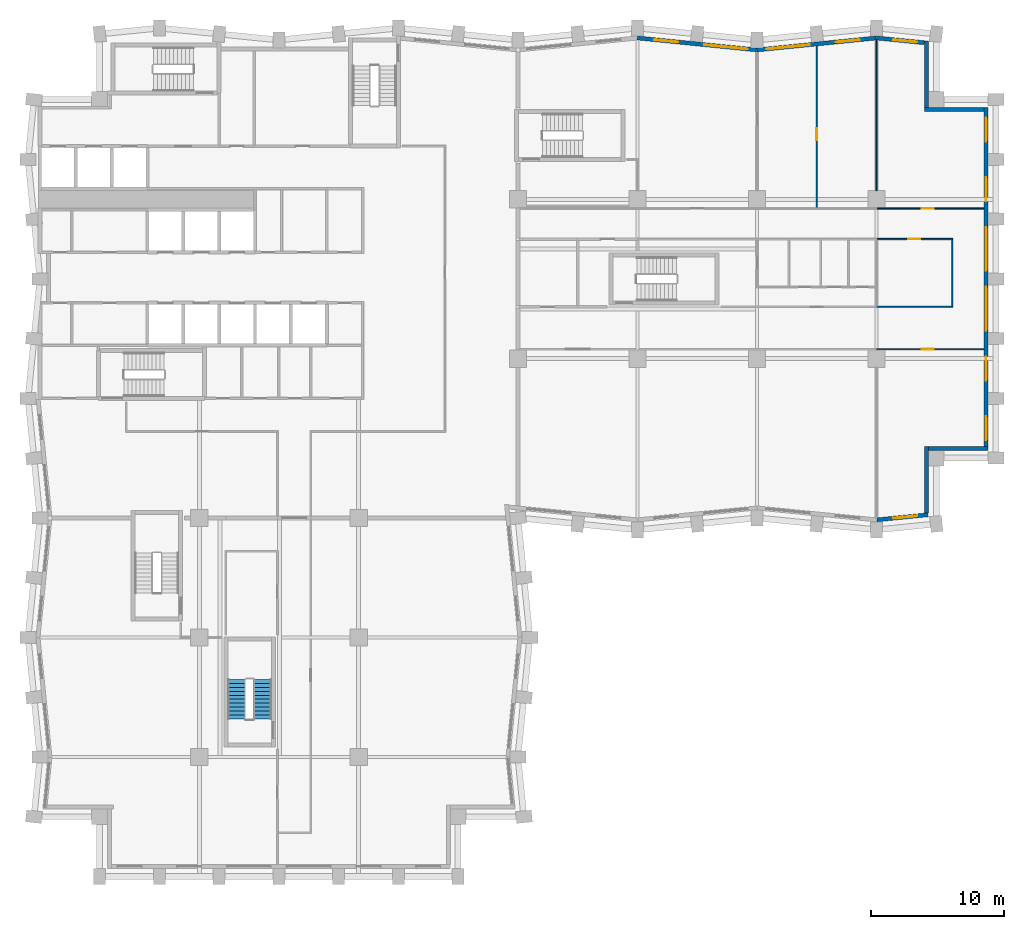
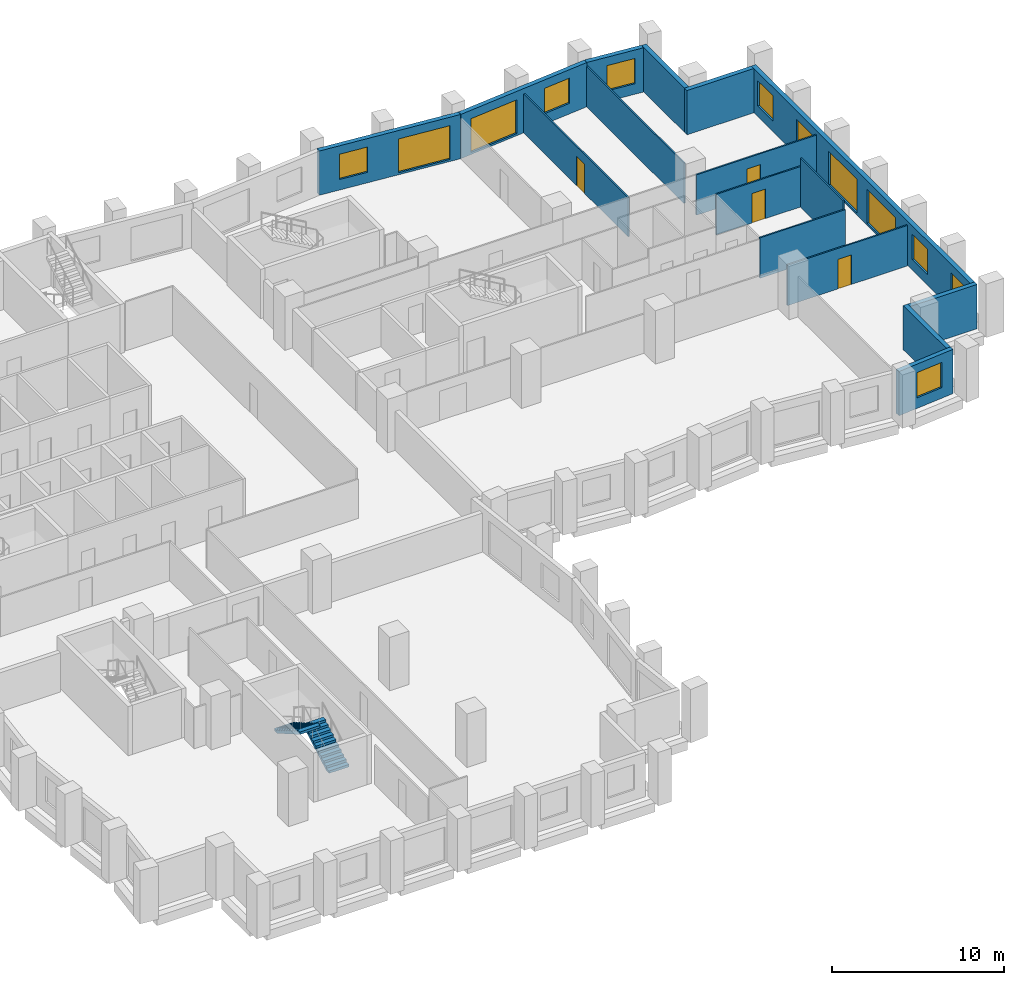
# One storey, part 8 of 11: 16 walls, 12 windows, 4 doors, 2 stair flights, 16 openings, 1 element without a shape of its own.
"""IFC4 building model written with IfcOpenShell, lengths in metres."""

import ifcopenshell
import ifcopenshell.guid

model = None  # the IFC model being written
_history = None  # IfcOwnerHistory: only IFC2X3 demands one
_inside = {}  # id of a spatial element -> (the spatial element, [elements in it])
_under = {}  # id of a project, library or spatial element -> (it, [spatial elements below it])
_declared = {}  # id of a project -> (the project, [libraries it declares])
_typed = {}  # id of a type object -> (the type object, [elements of that type])
_made_of = {}  # id of a material, layer set ... -> (it, [elements and type objects made of it])


def new_model(schema):
    """Start an empty IFC model of exactly this schema.

    Asked for "IFC4X3", IfcOpenShell would pick the latest addendum, in which some entities
    have other attributes; the version numbers below select the first issue.
    IFC2X3 requires an IfcOwnerHistory on every rooted entity: one is made here for all.
    """
    global model, _history
    if schema == "IFC4X3":
        model = ifcopenshell.file(schema_version=(4, 3, 0, 0))
    else:
        model = ifcopenshell.file(schema=schema)
    _inside.clear()
    _under.clear()
    _declared.clear()
    _typed.clear()
    _made_of.clear()
    _history = None
    if model.schema == "IFC2X3":
        org = make("IfcOrganization", Name="unknown")
        user = make(
            "IfcPersonAndOrganization",
            ThePerson=make("IfcPerson", FamilyName="unknown"),
            TheOrganization=org,
        )
        app = make(
            "IfcApplication",
            ApplicationDeveloper=org,
            Version="unknown",
            ApplicationFullName="unknown",
            ApplicationIdentifier="unknown",
        )
        _history = make(
            "IfcOwnerHistory",
            OwningUser=user,
            OwningApplication=app,
            ChangeAction="ADDED",
            CreationDate=0,
        )
    return model


def make(cls, **values):
    """One entity of the class cls with the attributes given. An attribute that is None is left unset."""
    return model.create_entity(
        cls, **{name: value for name, value in values.items() if value is not None}
    )


def rooted(cls, **values):
    """An entity with a GlobalId (a new one), such as an element, a storey or a relation."""
    return make(cls, GlobalId=ifcopenshell.guid.new(), OwnerHistory=_history, **values)


def si_unit(unit_type, name, prefix=None):
    """IfcSIUnit, for example si_unit("LENGTHUNIT", "METRE", prefix="MILLI")."""
    return make("IfcSIUnit", UnitType=unit_type, Prefix=prefix, Name=name)


def assignment(units):
    """IfcUnitAssignment: the units of a project."""
    return None if units is None else make("IfcUnitAssignment", Units=units)


def point(xyz):
    """IfcCartesianPoint."""
    return None if xyz is None else make("IfcCartesianPoint", Coordinates=xyz)


def direction(xyz):
    """IfcDirection."""
    return None if xyz is None else make("IfcDirection", DirectionRatios=xyz)


def frame(location, z_axis=None, x_axis=None):
    """IfcAxis2Placement3D, a coordinate frame: its origin and axes. An axis left out is left unset."""
    return make(
        "IfcAxis2Placement3D",
        Location=point(location),
        Axis=direction(z_axis),
        RefDirection=direction(x_axis),
    )


def frame_2d(location, x_axis=None):
    """IfcAxis2Placement2D, a coordinate frame in the plane: its origin and x axis."""
    return make(
        "IfcAxis2Placement2D", Location=point(location), RefDirection=direction(x_axis)
    )


def origin():
    """The frame at (0, 0, 0) with its axes left unset."""
    return frame((0.0, 0.0, 0.0))


def place(relative_to, where):
    """IfcLocalPlacement: puts the frame where relative to a parent placement (None: the world)."""
    return make(
        "IfcLocalPlacement", PlacementRelTo=relative_to, RelativePlacement=where
    )


def context(
    kind, dimensions, precision=None, world=None, true_north=None, identifier=None
):
    """IfcGeometricRepresentationContext, for example the 3D "Model" context."""
    return make(
        "IfcGeometricRepresentationContext",
        ContextIdentifier=identifier,
        ContextType=kind,
        CoordinateSpaceDimension=dimensions,
        Precision=precision,
        WorldCoordinateSystem=world,
        TrueNorth=true_north,
    )


def subcontext(parent, identifier, kind, view, scale=None):
    """IfcGeometricRepresentationSubContext, for example "Body" below "Model"."""
    return make(
        "IfcGeometricRepresentationSubContext",
        ContextIdentifier=identifier,
        ContextType=kind,
        ParentContext=parent,
        TargetScale=scale,
        TargetView=view,
    )


def project(units=None, contexts=None):
    """IfcProject with its units and contexts."""
    return rooted(
        "IfcProject",
        Name="project",
        RepresentationContexts=contexts,
        UnitsInContext=assignment(units),
    )


def spatial(cls, under=None, at=None, **own):
    """A site, building, storey or space (cls), placed at a placement, below another one or the project."""
    s = rooted(cls, ObjectPlacement=at, **own)
    if under is not None:
        _under.setdefault(under.id(), (under, []))[1].append(s)
    return s


def polyline(points):
    """IfcPolyline through the points."""
    return make("IfcPolyline", Points=[point(p) for p in points])


def profile(cls, at=None, kind="AREA", **sizes):
    """A parametric profile (cls). Its sizes go by their IFC names, for example OverallWidth=200.0."""
    return make(cls, ProfileType=kind, Position=at, **sizes)


def rectangle(**sizes):
    """IfcRectangleProfileDef."""
    return profile("IfcRectangleProfileDef", **sizes)


def outline(outer, holes=None, kind="AREA"):
    """IfcArbitraryClosedProfileDef: a profile drawn as a closed curve; with holes, ...WithVoids."""
    if holes is None:
        return make("IfcArbitraryClosedProfileDef", ProfileType=kind, OuterCurve=outer)
    return make(
        "IfcArbitraryProfileDefWithVoids",
        ProfileType=kind,
        OuterCurve=outer,
        InnerCurves=holes,
    )


def extrude(swept, where, along, depth):
    """IfcExtrudedAreaSolid: the profile swept, set in the frame where, extruded along a direction by depth."""
    return make(
        "IfcExtrudedAreaSolid",
        SweptArea=swept,
        Position=where,
        ExtrudedDirection=direction(along),
        Depth=depth,
    )


def shape(context_of_items, identifier, shape_type, items):
    """IfcShapeRepresentation: the items that make up one representation, for example the "Body"."""
    return make(
        "IfcShapeRepresentation",
        ContextOfItems=context_of_items,
        RepresentationIdentifier=identifier,
        RepresentationType=shape_type,
        Items=items,
    )


def material(Name=None, Category=None):
    """IfcMaterial."""
    return make("IfcMaterial", Name=Name, Category=Category)


def layer(
    of_material, thickness, ventilated=None, Name=None, Category=None, Priority=None
):
    """IfcMaterialLayer: one layer of a wall or slab, of a material (None: an air gap)."""
    return make(
        "IfcMaterialLayer",
        Material=of_material,
        LayerThickness=thickness,
        IsVentilated=ventilated,
        Name=Name,
        Category=Category,
        Priority=Priority,
    )


def layer_set(layers, Name=None):
    """IfcMaterialLayerSet."""
    return make("IfcMaterialLayerSet", MaterialLayers=layers, LayerSetName=Name)


def made_of(thing, what):
    """Note that an element or type object is made of a material, layer set ...; save() writes the relation."""
    if what is not None:
        _made_of.setdefault(what.id(), (what, []))[1].append(thing)
    return thing


def type_object(cls, material=None, **own):
    """A type object (cls), such as IfcWallType, which elements share."""
    return made_of(rooted(cls, **own), material)


def element(
    cls,
    number,
    at=None,
    inside=None,
    cuts=None,
    type_object=None,
    material=None,
    context=None,
    identifier="Body",
    shape_type=None,
    held_by="IfcProductDefinitionShape",
    body=None,
    shapes=None,
    **own,
):
    """One element of the class cls, such as IfcWall. Its Tag is "e" and its number.

    at: its placement. inside: the storey or other place that contains it. cuts: it is an
    opening in that element (IfcRelVoidsElement). A single representation is given by context,
    identifier, shape_type and body (its items); several are given by shapes. held_by: the class
    of the entity that holds the representations. save() writes the other relations.
    """
    e = rooted(cls, Tag="e%d" % number, ObjectPlacement=at, **own)
    if body is not None:
        shapes = [shape(context, identifier, shape_type, body)]
    if shapes is not None:
        e.Representation = make(held_by, Representations=shapes)
    if inside is not None:
        _inside.setdefault(inside.id(), (inside, []))[1].append(e)
    if cuts is not None:
        rooted(
            "IfcRelVoidsElement", RelatingBuildingElement=cuts, RelatedOpeningElement=e
        )
    if type_object is not None:
        _typed.setdefault(type_object.id(), (type_object, []))[1].append(e)
    return made_of(e, material)


def fill(opening, filler):
    """IfcRelFillsElement: the door or window that sits in an opening."""
    return rooted(
        "IfcRelFillsElement",
        RelatingOpeningElement=opening,
        RelatedBuildingElement=filler,
    )


def aggregate(whole, parts):
    """IfcRelAggregates: a whole, such as a stair, and the parts it consists of."""
    return rooted("IfcRelAggregates", RelatingObject=whole, RelatedObjects=parts)


def save(model, path):
    """Write the relations noted so far, then the file.

    IfcRelAggregates (storeys below a building ...), IfcRelContainedInSpatialStructure (elements
    in a storey), IfcRelDefinesByType, IfcRelAssociatesMaterial and IfcRelDeclares: one each for
    every whole, place, type object, material and project.
    """
    for whole, parts in _under.values():
        aggregate(whole, parts)
    for where, things in _inside.values():
        rooted(
            "IfcRelContainedInSpatialStructure",
            RelatedElements=things,
            RelatingStructure=where,
        )
    for kind, things in _typed.values():
        rooted("IfcRelDefinesByType", RelatedObjects=things, RelatingType=kind)
    for what, things in _made_of.values():
        rooted("IfcRelAssociatesMaterial", RelatedObjects=things, RelatingMaterial=what)
    for by, libraries in _declared.values():
        rooted("IfcRelDeclares", RelatingContext=by, RelatedDefinitions=libraries)
    model.write(path)


model = new_model("IFC4")

# Units and contexts
model_context = context("Model", 3, precision=1e-05, world=origin(), true_north=direction((0.0, 1.0)))
body_context = subcontext(model_context, "Body", "Model", "MODEL_VIEW")
ifc_project = project(units=[si_unit("LENGTHUNIT", "METRE"), si_unit("AREAUNIT", "SQUARE_METRE"), si_unit("VOLUMEUNIT", "CUBIC_METRE"), si_unit("PLANEANGLEUNIT", "RADIAN"), si_unit("MASSUNIT", "GRAM", prefix="KILO")], contexts=[model_context])

# Site, building, storey
site_placement = place(None, origin())
site = spatial("IfcSite", under=ifc_project, at=site_placement, CompositionType="ELEMENT")
building_placement = place(site_placement, origin())
building = spatial("IfcBuilding", under=site, at=building_placement, Name="Brondeck Convention Tower", CompositionType="ELEMENT")
storey_placement = place(building_placement, frame((0.0, 0.0, 118.89990234375)))
storey = spatial("IfcBuildingStorey", under=building, at=storey_placement, Name="L28", CompositionType="ELEMENT", Elevation=118.89990234375)

# Wall, opening, window
ifc_material_1 = material(Name="Precast concrete C50/60 bronze finish", Category="concrete")
ifc_layer_1 = layer(ifc_material_1, 0.070068359375, Name="Bronze precast facing")
ifc_material_2 = material(Name="Mineral wool")
ifc_layer_2 = layer(ifc_material_2, 0.159912109375, Name="Insulation")
ifc_material_3 = material(Name="Concrete C35/45", Category="concrete")
ifc_layer_3 = layer(ifc_material_3, 0.070068359375, Name="Backing")
ifc_layer_set_1 = layer_set([ifc_layer_1, ifc_layer_2, ifc_layer_3], Name="External infill wall, precast concrete C50/60 bronze facing")
wall_type_1 = type_object("IfcWallType", Name="External infill wall, precast concrete C50/60 bronze facing", PredefinedType="SOLIDWALL", material=ifc_layer_set_1)
wall_1_placement = place(storey_placement, frame((66.885009765625, 27.2421875, 0.0), z_axis=(0.0, 0.0, 1.0), x_axis=(-0.995037814081, -0.099497480111, 0.0)))
wall_1 = element("IfcWall", 1, at=wall_1_placement, inside=storey, type_object=wall_type_1, Name="ENV-EW-L28-P0-A-S-06", PredefinedType="SOLIDWALL", context=body_context, shape_type="SweptSolid", body=[
    extrude(rectangle(XDim=3.87451171875, YDim=0.300048828125, at=frame_2d((1.937255859375, 0.0))), origin(), (0.0, 0.0, 1.0), 3.150146484375),
])
opening_1_placement = place(wall_1_placement, frame((0.818359375, 0.0, 0.75)))
opening_1 = element("IfcOpeningElement", 2, at=opening_1_placement, cuts=wall_1, Name="Opening W10", PredefinedType="OPENING", context=body_context, shape_type="SweptSolid", body=[
    extrude(rectangle(XDim=1.800048828125, YDim=1.800048828125, at=frame_2d((0.89990234375, 0.89990234375))), frame((0.0, 0.159912109375, 0.0), z_axis=(0.0, -1.0, 0.0), x_axis=(1.0, 0.0, 0.0)), (0.0, 0.0, 1.0), 0.320068359375),
])
ifc_material_4 = material(Name="Bronze tinted double glazing", Category="glass")
window_type_1 = type_object("IfcWindowType", Name="Punched window, bronze tinted", PartitioningType="SINGLE_PANEL", PredefinedType="WINDOW", material=ifc_material_4)
window_1_placement = place(opening_1_placement, origin())
window_1 = element("IfcWindow", 3, at=window_1_placement, inside=storey, type_object=window_type_1, Name="ENV-WN-L28-P0-A-S-06", OverallHeight=1.800048828125, OverallWidth=1.800048828125, PartitioningType="SINGLE_PANEL", PredefinedType="WINDOW", context=body_context, shape_type="SweptSolid", body=[
    extrude(rectangle(XDim=1.800048828125, YDim=1.800048828125, at=frame_2d((0.89990234375, 0.89990234375))), frame((0.0, 0.030029296875, 0.0), z_axis=(0.0, -1.0, 0.0), x_axis=(1.0, 0.0, 0.0)), (0.0, 0.0, 1.0), 0.06005859375),
])
fill(opening_1, window_1)

# Walls
wall_2_placement = place(storey_placement, frame((66.75, 32.39990234375, 0.0), z_axis=(0.0, 0.0, 1.0), x_axis=(0.0, -1.0, 0.0)))
element("IfcWall", 4, at=wall_2_placement, inside=storey, type_object=wall_type_1, Name="ENV-EW-L28-P0-NC-SEA72-01", PredefinedType="SOLIDWALL", context=body_context, shape_type="SweptSolid", body=[
    extrude(rectangle(XDim=5.019287109375, YDim=0.300048828125, at=frame_2d((2.509765625, 0.0))), origin(), (0.0, 0.0, 1.0), 3.150146484375),
])
wall_3_placement = place(storey_placement, frame((71.39990234375, 32.25, 0.0), z_axis=(0.0, 0.0, 1.0), x_axis=(-1.0, 0.0, 0.0)))
element("IfcWall", 5, at=wall_3_placement, inside=storey, type_object=wall_type_1, Name="ENV-EW-L28-P0-NC-SEA72-02", PredefinedType="SOLIDWALL", context=body_context, shape_type="SweptSolid", body=[
    extrude(rectangle(XDim=4.5, YDim=0.300048828125, at=frame_2d((2.25, 0.0))), origin(), (0.0, 0.0, 1.0), 3.150146484375),
])

# Wall, openings, windows
wall_4_placement = place(storey_placement, frame((71.25, 57.89990234375, 0.0), z_axis=(0.0, 0.0, 1.0), x_axis=(0.0, -1.0, 0.0)))
wall_4 = element("IfcWall", 6, at=wall_4_placement, inside=storey, type_object=wall_type_1, Name="ENV-EW-L28-P0-A-E72-01", PredefinedType="SOLIDWALL", context=body_context, shape_type="SweptSolid", body=[
    extrude(rectangle(XDim=25.501953125, YDim=0.300048828125, at=frame_2d((12.7509765625, 0.0))), origin(), (0.0, 0.0, 1.0), 3.150146484375),
])
opening_2_placement = place(wall_4_placement, frame((0.75, 0.0, 0.75)))
opening_2 = element("IfcOpeningElement", 7, at=opening_2_placement, cuts=wall_4, Name="Opening W10", PredefinedType="OPENING", context=body_context, shape_type="SweptSolid", body=[
    extrude(rectangle(XDim=1.800048828125, YDim=1.800048828125, at=frame_2d((0.89990234375, 0.89990234375))), frame((0.0, 0.159912109375, 0.0), z_axis=(0.0, -1.0, 0.0), x_axis=(1.0, 0.0, 0.0)), (0.0, 0.0, 1.0), 0.320068359375),
])
opening_3_placement = place(wall_4_placement, frame((5.25, 0.0, 0.75)))
opening_3 = element("IfcOpeningElement", 8, at=opening_3_placement, cuts=wall_4, Name="Opening W10", PredefinedType="OPENING", context=body_context, shape_type="SweptSolid", body=[
    extrude(rectangle(XDim=1.800048828125, YDim=1.800048828125, at=frame_2d((0.89990234375, 0.89990234375))), frame((0.0, 0.159912109375, 0.0), z_axis=(0.0, -1.0, 0.0), x_axis=(1.0, 0.0, 0.0)), (0.0, 0.0, 1.0), 0.320068359375),
])
opening_4_placement = place(wall_4_placement, frame((9.0, 0.0, 0.14990234375)))
opening_4 = element("IfcOpeningElement", 9, at=opening_4_placement, cuts=wall_4, Name="Opening W9", PredefinedType="OPENING", context=body_context, shape_type="SweptSolid", body=[
    extrude(rectangle(XDim=3.300048828125, YDim=2.39990234375, at=frame_2d((1.64990234375, 1.199951171875))), frame((0.0, 0.159912109375, 0.0), z_axis=(0.0, -1.0, 0.0), x_axis=(1.0, 0.0, 0.0)), (0.0, 0.0, 1.0), 0.320068359375),
])
opening_5_placement = place(wall_4_placement, frame((13.5, 0.0, 0.14990234375)))
opening_5 = element("IfcOpeningElement", 10, at=opening_5_placement, cuts=wall_4, Name="Opening W9", PredefinedType="OPENING", context=body_context, shape_type="SweptSolid", body=[
    extrude(rectangle(XDim=3.300048828125, YDim=2.39990234375, at=frame_2d((1.64990234375, 1.199951171875))), frame((0.0, 0.159912109375, 0.0), z_axis=(0.0, -1.0, 0.0), x_axis=(1.0, 0.0, 0.0)), (0.0, 0.0, 1.0), 0.320068359375),
])
opening_6_placement = place(wall_4_placement, frame((18.75, 0.0, 0.75)))
opening_6 = element("IfcOpeningElement", 11, at=opening_6_placement, cuts=wall_4, Name="Opening W10", PredefinedType="OPENING", context=body_context, shape_type="SweptSolid", body=[
    extrude(rectangle(XDim=1.800048828125, YDim=1.800048828125, at=frame_2d((0.89990234375, 0.89990234375))), frame((0.0, 0.159912109375, 0.0), z_axis=(0.0, -1.0, 0.0), x_axis=(1.0, 0.0, 0.0)), (0.0, 0.0, 1.0), 0.320068359375),
])
opening_7_placement = place(wall_4_placement, frame((23.25, 0.0, 0.75)))
opening_7 = element("IfcOpeningElement", 12, at=opening_7_placement, cuts=wall_4, Name="Opening W10", PredefinedType="OPENING", context=body_context, shape_type="SweptSolid", body=[
    extrude(rectangle(XDim=1.800048828125, YDim=1.800048828125, at=frame_2d((0.89990234375, 0.89990234375))), frame((0.0, 0.159912109375, 0.0), z_axis=(0.0, -1.0, 0.0), x_axis=(1.0, 0.0, 0.0)), (0.0, 0.0, 1.0), 0.320068359375),
])
window_type_2 = type_object("IfcWindowType", Name="Glazed flute window, bronze tinted", PartitioningType="SINGLE_PANEL", PredefinedType="WINDOW", material=ifc_material_4)
window_2_placement = place(opening_4_placement, origin())
window_2 = element("IfcWindow", 13, at=window_2_placement, inside=storey, type_object=window_type_2, Name="ENV-WN-L28-P0-A-E72-04", OverallHeight=2.39990234375, OverallWidth=3.300048828125, PartitioningType="SINGLE_PANEL", PredefinedType="WINDOW", context=body_context, shape_type="SweptSolid", body=[
    extrude(rectangle(XDim=3.300048828125, YDim=2.39990234375, at=frame_2d((1.64990234375, 1.199951171875))), frame((0.0, 0.030029296875, 0.0), z_axis=(0.0, -1.0, 0.0), x_axis=(1.0, 0.0, 0.0)), (0.0, 0.0, 1.0), 0.06005859375),
])
fill(opening_4, window_2)
window_3_placement = place(opening_5_placement, origin())
window_3 = element("IfcWindow", 14, at=window_3_placement, inside=storey, type_object=window_type_2, Name="ENV-WN-L28-P0-A-E72-03", OverallHeight=2.39990234375, OverallWidth=3.300048828125, PartitioningType="SINGLE_PANEL", PredefinedType="WINDOW", context=body_context, shape_type="SweptSolid", body=[
    extrude(rectangle(XDim=3.300048828125, YDim=2.39990234375, at=frame_2d((1.64990234375, 1.199951171875))), frame((0.0, 0.030029296875, 0.0), z_axis=(0.0, -1.0, 0.0), x_axis=(1.0, 0.0, 0.0)), (0.0, 0.0, 1.0), 0.06005859375),
])
fill(opening_5, window_3)
window_4_placement = place(opening_2_placement, origin())
window_4 = element("IfcWindow", 15, at=window_4_placement, inside=storey, type_object=window_type_1, Name="ENV-WN-L28-P0-A-E72-06", OverallHeight=1.800048828125, OverallWidth=1.800048828125, PartitioningType="SINGLE_PANEL", PredefinedType="WINDOW", context=body_context, shape_type="SweptSolid", body=[
    extrude(rectangle(XDim=1.800048828125, YDim=1.800048828125, at=frame_2d((0.89990234375, 0.89990234375))), frame((0.0, 0.030029296875, 0.0), z_axis=(0.0, -1.0, 0.0), x_axis=(1.0, 0.0, 0.0)), (0.0, 0.0, 1.0), 0.06005859375),
])
fill(opening_2, window_4)
window_5_placement = place(opening_3_placement, origin())
window_5 = element("IfcWindow", 16, at=window_5_placement, inside=storey, type_object=window_type_1, Name="ENV-WN-L28-P0-A-E72-05", OverallHeight=1.800048828125, OverallWidth=1.800048828125, PartitioningType="SINGLE_PANEL", PredefinedType="WINDOW", context=body_context, shape_type="SweptSolid", body=[
    extrude(rectangle(XDim=1.800048828125, YDim=1.800048828125, at=frame_2d((0.89990234375, 0.89990234375))), frame((0.0, 0.030029296875, 0.0), z_axis=(0.0, -1.0, 0.0), x_axis=(1.0, 0.0, 0.0)), (0.0, 0.0, 1.0), 0.06005859375),
])
fill(opening_3, window_5)
window_6_placement = place(opening_6_placement, origin())
window_6 = element("IfcWindow", 17, at=window_6_placement, inside=storey, type_object=window_type_1, Name="ENV-WN-L28-P0-A-E72-02", OverallHeight=1.800048828125, OverallWidth=1.800048828125, PartitioningType="SINGLE_PANEL", PredefinedType="WINDOW", context=body_context, shape_type="SweptSolid", body=[
    extrude(rectangle(XDim=1.800048828125, YDim=1.800048828125, at=frame_2d((0.89990234375, 0.89990234375))), frame((0.0, 0.030029296875, 0.0), z_axis=(0.0, -1.0, 0.0), x_axis=(1.0, 0.0, 0.0)), (0.0, 0.0, 1.0), 0.06005859375),
])
fill(opening_6, window_6)
window_7_placement = place(opening_7_placement, origin())
window_7 = element("IfcWindow", 18, at=window_7_placement, inside=storey, type_object=window_type_1, Name="ENV-WN-L28-P0-A-E72-01", OverallHeight=1.800048828125, OverallWidth=1.800048828125, PartitioningType="SINGLE_PANEL", PredefinedType="WINDOW", context=body_context, shape_type="SweptSolid", body=[
    extrude(rectangle(XDim=1.800048828125, YDim=1.800048828125, at=frame_2d((0.89990234375, 0.89990234375))), frame((0.0, 0.030029296875, 0.0), z_axis=(0.0, -1.0, 0.0), x_axis=(1.0, 0.0, 0.0)), (0.0, 0.0, 1.0), 0.06005859375),
])
fill(opening_7, window_7)

# Walls
wall_5_placement = place(storey_placement, frame((66.60009765625, 57.75, 0.0), z_axis=(0.0, 0.0, 1.0), x_axis=(1.0, 0.0, 0.0)))
element("IfcWall", 19, at=wall_5_placement, inside=storey, type_object=wall_type_1, Name="ENV-EW-L28-P0-NC-NEA72-01", PredefinedType="SOLIDWALL", context=body_context, shape_type="SweptSolid", body=[
    extrude(rectangle(XDim=4.5, YDim=0.300048828125, at=frame_2d((2.25, 0.0))), origin(), (0.0, 0.0, 1.0), 3.150146484375),
])
wall_6_placement = place(storey_placement, frame((66.75, 62.906982421875, 0.0), z_axis=(0.0, 0.0, 1.0), x_axis=(0.0, -1.0, 0.0)))
element("IfcWall", 20, at=wall_6_placement, inside=storey, type_object=wall_type_1, Name="ENV-EW-L28-P0-NC-NEA72-02", PredefinedType="SOLIDWALL", context=body_context, shape_type="SweptSolid", body=[
    extrude(rectangle(XDim=5.009033203125, YDim=0.300048828125, at=frame_2d((2.50439453125, 0.0))), origin(), (0.0, 0.0, 1.0), 3.150146484375),
])

# Wall, opening, window
wall_7_placement = place(storey_placement, frame((62.985107421875, 63.147705078125, 0.0), z_axis=(0.0, 0.0, 1.0), x_axis=(0.995038521274, -0.099490407478, 0.0)))
wall_7 = element("IfcWall", 21, at=wall_7_placement, inside=storey, type_object=wall_type_1, Name="ENV-EW-L28-P0-A-N-14", PredefinedType="SOLIDWALL", context=body_context, shape_type="SweptSolid", body=[
    extrude(rectangle(XDim=3.6318359375, YDim=0.300048828125, at=frame_2d((1.81591796875, 0.0))), origin(), (0.0, 0.0, 1.0), 3.150146484375),
])
opening_8_placement = place(wall_7_placement, frame((1.30126953125, 0.0, 0.75)))
opening_8 = element("IfcOpeningElement", 22, at=opening_8_placement, cuts=wall_7, Name="Opening W10", PredefinedType="OPENING", context=body_context, shape_type="SweptSolid", body=[
    extrude(rectangle(XDim=1.800048828125, YDim=1.800048828125, at=frame_2d((0.89990234375, 0.89990234375))), frame((0.0, 0.159912109375, 0.0), z_axis=(0.0, -1.0, 0.0), x_axis=(1.0, 0.0, 0.0)), (0.0, 0.0, 1.0), 0.320068359375),
])
window_8_placement = place(opening_8_placement, origin())
window_8 = element("IfcWindow", 23, at=window_8_placement, inside=storey, type_object=window_type_1, Name="ENV-WN-L28-P0-A-N-14", OverallHeight=1.800048828125, OverallWidth=1.800048828125, PartitioningType="SINGLE_PANEL", PredefinedType="WINDOW", context=body_context, shape_type="SweptSolid", body=[
    extrude(rectangle(XDim=1.800048828125, YDim=1.800048828125, at=frame_2d((0.89990234375, 0.89990234375))), frame((0.0, 0.030029296875, 0.0), z_axis=(0.0, -1.0, 0.0), x_axis=(1.0, 0.0, 0.0)), (0.0, 0.0, 1.0), 0.06005859375),
])
fill(opening_8, window_8)

# Wall, openings, windows
wall_8_placement = place(storey_placement, frame((53.985107421875, 62.244873046875, 0.0), z_axis=(0.0, 0.0, 1.0), x_axis=(0.995037993253, 0.099495688264, 0.0)))
wall_8 = element("IfcWall", 24, at=wall_8_placement, inside=storey, type_object=wall_type_1, Name="ENV-EW-L28-P0-A-N-13", PredefinedType="SOLIDWALL", context=body_context, shape_type="SweptSolid", body=[
    extrude(rectangle(XDim=9.030029296875, YDim=0.300048828125, at=frame_2d((4.51513671875, 0.0))), origin(), (0.0, 0.0, 1.0), 3.150146484375),
])
opening_9_placement = place(wall_8_placement, frame((0.701171875, 0.0, 0.14990234375)))
opening_9 = element("IfcOpeningElement", 25, at=opening_9_placement, cuts=wall_8, Name="Opening W9", PredefinedType="OPENING", context=body_context, shape_type="SweptSolid", body=[
    extrude(rectangle(XDim=3.300048828125, YDim=2.39990234375, at=frame_2d((1.64990234375, 1.199951171875))), frame((0.0, 0.159912109375, 0.0), z_axis=(0.0, -1.0, 0.0), x_axis=(1.0, 0.0, 0.0)), (0.0, 0.0, 1.0), 0.320068359375),
])
opening_10_placement = place(wall_8_placement, frame((5.9736328125, 0.0, 0.75)))
opening_10 = element("IfcOpeningElement", 26, at=opening_10_placement, cuts=wall_8, Name="Opening W10", PredefinedType="OPENING", context=body_context, shape_type="SweptSolid", body=[
    extrude(rectangle(XDim=1.800048828125, YDim=1.800048828125, at=frame_2d((0.89990234375, 0.89990234375))), frame((0.0, 0.159912109375, 0.0), z_axis=(0.0, -1.0, 0.0), x_axis=(1.0, 0.0, 0.0)), (0.0, 0.0, 1.0), 0.320068359375),
])
window_9_placement = place(opening_9_placement, origin())
window_9 = element("IfcWindow", 27, at=window_9_placement, inside=storey, type_object=window_type_2, Name="ENV-WN-L28-P0-A-N-12", OverallHeight=2.39990234375, OverallWidth=3.300048828125, PartitioningType="SINGLE_PANEL", PredefinedType="WINDOW", context=body_context, shape_type="SweptSolid", body=[
    extrude(rectangle(XDim=3.300048828125, YDim=2.39990234375, at=frame_2d((1.64990234375, 1.199951171875))), frame((0.0, 0.030029296875, 0.0), z_axis=(0.0, -1.0, 0.0), x_axis=(1.0, 0.0, 0.0)), (0.0, 0.0, 1.0), 0.06005859375),
])
fill(opening_9, window_9)
window_10_placement = place(opening_10_placement, origin())
window_10 = element("IfcWindow", 28, at=window_10_placement, inside=storey, type_object=window_type_1, Name="ENV-WN-L28-P0-A-N-13", OverallHeight=1.800048828125, OverallWidth=1.800048828125, PartitioningType="SINGLE_PANEL", PredefinedType="WINDOW", context=body_context, shape_type="SweptSolid", body=[
    extrude(rectangle(XDim=1.800048828125, YDim=1.800048828125, at=frame_2d((0.89990234375, 0.89990234375))), frame((0.0, 0.030029296875, 0.0), z_axis=(0.0, -1.0, 0.0), x_axis=(1.0, 0.0, 0.0)), (0.0, 0.0, 1.0), 0.06005859375),
])
fill(opening_10, window_10)

wall_9_placement = place(storey_placement, frame((44.985107421875, 63.147705078125, 0.0), z_axis=(0.0, 0.0, 1.0), x_axis=(0.995037993253, -0.099495688264, 0.0)))
wall_9 = element("IfcWall", 29, at=wall_9_placement, inside=storey, type_object=wall_type_1, Name="ENV-EW-L28-P0-A-N-11", PredefinedType="SOLIDWALL", context=body_context, shape_type="SweptSolid", body=[
    extrude(rectangle(XDim=9.030029296875, YDim=0.300048828125, at=frame_2d((4.51513671875, 0.0))), origin(), (0.0, 0.0, 1.0), 3.150146484375),
])
opening_11_placement = place(wall_9_placement, frame((1.30126953125, 0.0, 0.75)))
opening_11 = element("IfcOpeningElement", 30, at=opening_11_placement, cuts=wall_9, Name="Opening W10", PredefinedType="OPENING", context=body_context, shape_type="SweptSolid", body=[
    extrude(rectangle(XDim=1.800048828125, YDim=1.800048828125, at=frame_2d((0.89990234375, 0.89990234375))), frame((0.0, 0.159912109375, 0.0), z_axis=(0.0, -1.0, 0.0), x_axis=(1.0, 0.0, 0.0)), (0.0, 0.0, 1.0), 0.320068359375),
])
opening_12_placement = place(wall_9_placement, frame((5.073486328125, 0.0, 0.14990234375)))
opening_12 = element("IfcOpeningElement", 31, at=opening_12_placement, cuts=wall_9, Name="Opening W9", PredefinedType="OPENING", context=body_context, shape_type="SweptSolid", body=[
    extrude(rectangle(XDim=3.300048828125, YDim=2.39990234375, at=frame_2d((1.64990234375, 1.199951171875))), frame((0.0, 0.159912109375, 0.0), z_axis=(0.0, -1.0, 0.0), x_axis=(1.0, 0.0, 0.0)), (0.0, 0.0, 1.0), 0.320068359375),
])
window_11_placement = place(opening_12_placement, origin())
window_11 = element("IfcWindow", 32, at=window_11_placement, inside=storey, type_object=window_type_2, Name="ENV-WN-L28-P0-A-N-11", OverallHeight=2.39990234375, OverallWidth=3.300048828125, PartitioningType="SINGLE_PANEL", PredefinedType="WINDOW", context=body_context, shape_type="SweptSolid", body=[
    extrude(rectangle(XDim=3.300048828125, YDim=2.39990234375, at=frame_2d((1.64990234375, 1.199951171875))), frame((0.0, 0.030029296875, 0.0), z_axis=(0.0, -1.0, 0.0), x_axis=(1.0, 0.0, 0.0)), (0.0, 0.0, 1.0), 0.06005859375),
])
fill(opening_12, window_11)
window_12_placement = place(opening_11_placement, origin())
window_12 = element("IfcWindow", 33, at=window_12_placement, inside=storey, type_object=window_type_1, Name="ENV-WN-L28-P0-A-N-10", OverallHeight=1.800048828125, OverallWidth=1.800048828125, PartitioningType="SINGLE_PANEL", PredefinedType="WINDOW", context=body_context, shape_type="SweptSolid", body=[
    extrude(rectangle(XDim=1.800048828125, YDim=1.800048828125, at=frame_2d((0.89990234375, 0.89990234375))), frame((0.0, 0.030029296875, 0.0), z_axis=(0.0, -1.0, 0.0), x_axis=(1.0, 0.0, 0.0)), (0.0, 0.0, 1.0), 0.06005859375),
])
fill(opening_11, window_12)

# Wall, opening, door
ifc_material_5 = material(Name="Gypsum board partition on steel studs", Category="steel")
ifc_layer_4 = layer(ifc_material_5, 0.10009765625)
ifc_layer_set_2 = layer_set([ifc_layer_4], Name="Room partition 100")
wall_type_2 = type_object("IfcWallType", Name="Room partition 100", PredefinedType="PARTITIONING", material=ifc_layer_set_2)
wall_10_placement = place(storey_placement, frame((71.080078125, 39.699951171875, 0.0), z_axis=(0.0, 0.0, 1.0), x_axis=(-1.0, 0.0, 0.0)))
wall_10 = element("IfcWall", 34, at=wall_10_placement, inside=storey, type_object=wall_type_2, Name="FLR-L28-W026", PredefinedType="PARTITIONING", context=body_context, shape_type="SweptSolid", body=[
    extrude(rectangle(XDim=8.080078125, YDim=0.10009765625, at=frame_2d((4.0400390625, 0.0))), origin(), (0.0, 0.0, 1.0), 2.880126953125),
])
opening_13_placement = place(wall_10_placement, frame((3.781005859375, 0.0, 0.0)))
opening_13 = element("IfcOpeningElement", 35, at=opening_13_placement, cuts=wall_10, Name="Opening OF-C-011", PredefinedType="OPENING", context=body_context, shape_type="SweptSolid", body=[
    extrude(rectangle(XDim=0.89990234375, YDim=2.10009765625, at=frame_2d((0.449951171875, 1.050048828125))), frame((0.0, 0.06005859375, 0.0), z_axis=(0.0, -1.0, 0.0), x_axis=(1.0, 0.0, 0.0)), (0.0, 0.0, 1.0), 0.1201171875),
])
ifc_material_6 = material(Name="Solid timber door leaf", Category="wood")
door_type = type_object("IfcDoorType", Name="Single door 900", OperationType="NOTDEFINED", PredefinedType="DOOR", material=ifc_material_6)
door_1_placement = place(opening_13_placement, origin())
door_1 = element("IfcDoor", 36, at=door_1_placement, inside=storey, type_object=door_type, Name="Door OF-C-011", OperationType="SINGLE_SWING_RIGHT", OverallHeight=2.10009765625, OverallWidth=0.89990234375, PredefinedType="DOOR", context=body_context, shape_type="SweptSolid", body=[
    extrude(rectangle(XDim=0.89990234375, YDim=2.10009765625, at=frame_2d((0.449951171875, 1.050048828125))), frame((0.0, 0.02490234375, 0.0), z_axis=(0.0, -1.0, 0.0), x_axis=(1.0, 0.0, 0.0)), (0.0, 0.0, 1.0), 0.050048828125),
])
fill(opening_13, door_1)

# Walls
wall_11_placement = place(storey_placement, frame((63.0, 42.89990234375, 0.0), z_axis=(0.0, 0.0, 1.0), x_axis=(1.0, 0.0, 0.0)))
element("IfcWall", 37, at=wall_11_placement, inside=storey, type_object=wall_type_2, Name="FLR-L28-W031", PredefinedType="PARTITIONING", context=body_context, shape_type="SweptSolid", body=[
    extrude(rectangle(XDim=5.75, YDim=0.10009765625, at=frame_2d((2.875, 0.0))), origin(), (0.0, 0.0, 1.0), 2.880126953125),
])
wall_12_placement = place(storey_placement, frame((68.699951171875, 42.949951171875, 0.0), z_axis=(0.0, 0.0, 1.0), x_axis=(0.0, 1.0, 0.0)))
element("IfcWall", 38, at=wall_12_placement, inside=storey, type_object=wall_type_2, Name="FLR-L28-W032", PredefinedType="PARTITIONING", context=body_context, shape_type="SweptSolid", body=[
    extrude(rectangle(XDim=5.0, YDim=0.10009765625, at=frame_2d((2.5, 0.0))), origin(), (0.0, 0.0, 1.0), 3.47998046875),
])

# Wall, opening, door
wall_13_placement = place(storey_placement, frame((68.75, 48.0, 0.0), z_axis=(0.0, 0.0, 1.0), x_axis=(-1.0, 0.0, 0.0)))
wall_13 = element("IfcWall", 39, at=wall_13_placement, inside=storey, type_object=wall_type_2, Name="FLR-L28-W053", PredefinedType="PARTITIONING", context=body_context, shape_type="SweptSolid", body=[
    extrude(rectangle(XDim=5.75, YDim=0.10009765625, at=frame_2d((2.875, 0.0))), origin(), (0.0, 0.0, 1.0), 2.880126953125),
])
opening_14_placement = place(wall_13_placement, frame((2.449951171875, 0.0, 0.0)))
opening_14 = element("IfcOpeningElement", 40, at=opening_14_placement, cuts=wall_13, Name="Opening OF-C-009", PredefinedType="OPENING", context=body_context, shape_type="SweptSolid", body=[
    extrude(rectangle(XDim=0.89990234375, YDim=2.10009765625, at=frame_2d((0.449951171875, 1.050048828125))), frame((0.0, 0.06005859375, 0.0), z_axis=(0.0, -1.0, 0.0), x_axis=(1.0, 0.0, 0.0)), (0.0, 0.0, 1.0), 0.1201171875),
])
door_2_placement = place(opening_14_placement, origin())
door_2 = element("IfcDoor", 41, at=door_2_placement, inside=storey, type_object=door_type, Name="Door OF-C-009", OperationType="SINGLE_SWING_RIGHT", OverallHeight=2.10009765625, OverallWidth=0.89990234375, PredefinedType="DOOR", context=body_context, shape_type="SweptSolid", body=[
    extrude(rectangle(XDim=0.89990234375, YDim=2.10009765625, at=frame_2d((0.449951171875, 1.050048828125))), frame((0.0, 0.02490234375, 0.0), z_axis=(0.0, -1.0, 0.0), x_axis=(1.0, 0.0, 0.0)), (0.0, 0.0, 1.0), 0.050048828125),
])
fill(opening_14, door_2)

wall_14_placement = place(storey_placement, frame((63.0, 50.300048828125, 0.0), z_axis=(0.0, 0.0, 1.0), x_axis=(1.0, 0.0, 0.0)))
wall_14 = element("IfcWall", 42, at=wall_14_placement, inside=storey, type_object=wall_type_2, Name="FLR-L28-W059", PredefinedType="PARTITIONING", context=body_context, shape_type="SweptSolid", body=[
    extrude(rectangle(XDim=8.080078125, YDim=0.10009765625, at=frame_2d((4.0400390625, 0.0))), origin(), (0.0, 0.0, 1.0), 2.880126953125),
])
opening_15_placement = place(wall_14_placement, frame((3.39892578125, 0.0, 0.0)))
opening_15 = element("IfcOpeningElement", 43, at=opening_15_placement, cuts=wall_14, Name="Opening OF-C-015", PredefinedType="OPENING", context=body_context, shape_type="SweptSolid", body=[
    extrude(rectangle(XDim=0.89990234375, YDim=2.10009765625, at=frame_2d((0.449951171875, 1.050048828125))), frame((0.0, 0.06005859375, 0.0), z_axis=(0.0, -1.0, 0.0), x_axis=(1.0, 0.0, 0.0)), (0.0, 0.0, 1.0), 0.1201171875),
])
door_3_placement = place(opening_15_placement, origin())
door_3 = element("IfcDoor", 44, at=door_3_placement, inside=storey, type_object=door_type, Name="Door OF-C-015", OperationType="SINGLE_SWING_LEFT", OverallHeight=2.10009765625, OverallWidth=0.89990234375, PredefinedType="DOOR", context=body_context, shape_type="SweptSolid", body=[
    extrude(rectangle(XDim=0.89990234375, YDim=2.10009765625, at=frame_2d((0.449951171875, 1.050048828125))), frame((0.0, 0.02490234375, 0.0), z_axis=(0.0, -1.0, 0.0), x_axis=(1.0, 0.0, 0.0)), (0.0, 0.0, 1.0), 0.050048828125),
])
fill(opening_15, door_3)

wall_15_placement = place(storey_placement, frame((58.5, 62.525390625, 0.0), z_axis=(0.0, 0.0, 1.0), x_axis=(0.0, -1.0, 0.0)))
wall_15 = element("IfcWall", 45, at=wall_15_placement, inside=storey, type_object=wall_type_2, Name="FLR-L28-W068", PredefinedType="PARTITIONING", context=body_context, shape_type="SweptSolid", body=[
    extrude(rectangle(XDim=12.17529296875, YDim=0.10009765625, at=frame_2d((6.087646484375, 0.0))), origin(), (0.0, 0.0, 1.0), 2.780029296875),
])
opening_16_placement = place(wall_15_placement, frame((6.180419921875, 0.0, 0.0)))
opening_16 = element("IfcOpeningElement", 46, at=opening_16_placement, cuts=wall_15, Name="Opening OF-C-014", PredefinedType="OPENING", context=body_context, shape_type="SweptSolid", body=[
    extrude(rectangle(XDim=0.89990234375, YDim=2.10009765625, at=frame_2d((0.449951171875, 1.050048828125))), frame((0.0, 0.06005859375, 0.0), z_axis=(0.0, -1.0, 0.0), x_axis=(1.0, 0.0, 0.0)), (0.0, 0.0, 1.0), 0.1201171875),
])
door_4_placement = place(opening_16_placement, origin())
door_4 = element("IfcDoor", 47, at=door_4_placement, inside=storey, type_object=door_type, Name="Door OF-C-014", OperationType="SINGLE_SWING_LEFT", OverallHeight=2.10009765625, OverallWidth=0.89990234375, PredefinedType="DOOR", context=body_context, shape_type="SweptSolid", body=[
    extrude(rectangle(XDim=0.89990234375, YDim=2.10009765625, at=frame_2d((0.449951171875, 1.050048828125))), frame((0.0, 0.02490234375, 0.0), z_axis=(0.0, -1.0, 0.0), x_axis=(1.0, 0.0, 0.0)), (0.0, 0.0, 1.0), 0.050048828125),
])
fill(opening_16, door_4)

# Wall
wall_16_placement = place(storey_placement, frame((63.0, 62.9755859375, 0.0), z_axis=(0.0, 0.0, 1.0), x_axis=(0.0, -1.0, 0.0)))
element("IfcWall", 48, at=wall_16_placement, inside=storey, type_object=wall_type_2, Name="FLR-L28-W069", PredefinedType="PARTITIONING", context=body_context, shape_type="SweptSolid", body=[
    extrude(rectangle(XDim=11.320556640625, YDim=0.10009765625, at=frame_2d((5.66015625, 0.0))), origin(), (0.0, 0.0, 1.0), 2.880126953125),
])

# Stair, stair flights
ifc_material_7 = material(Name="Precast concrete C50/60", Category="concrete")
stair_type = type_object("IfcStairType", Name="Core stair 22 risers 172.73 mm riser 300 mm going 1350 wide", PredefinedType="HALF_TURN_STAIR", material=ifc_material_7)
stair_placement = place(storey_placement, origin())
stair = element("IfcStair", 49, at=stair_placement, inside=storey, type_object=stair_type, Name="ST-BF L28 stair", PredefinedType="HALF_TURN_STAIR")
stair_flight_type = type_object("IfcStairFlightType", Name="Core stair flight 22 risers 172.73 mm riser 300 mm going 1350 wide", PredefinedType="STRAIGHT", material=ifc_material_7)
stair_flight_1_placement = place(storey_placement, frame((16.77490234375, 11.85009765625, 0.0), z_axis=(0.0, 0.0, 1.0), x_axis=(0.0, 1.0, 0.0)))
stair_flight_1 = element("IfcStairFlight", 50, at=stair_flight_1_placement, type_object=stair_flight_type, Name="ST-BF flight 1", NumberOfRisers=11, NumberOfTreads=10, PredefinedType="STRAIGHT", RiserHeight=0.172727273, TreadLength=0.3, context=body_context, shape_type="SweptSolid", body=[
    extrude(outline(polyline([(0.0, 0.0), (0.0, 0.172607421875), (0.300048828125, 0.172607421875), (0.300048828125, 0.345458984375), (0.60009765625, 0.345458984375), (0.60009765625, 0.51806640625), (0.89990234375, 0.51806640625), (0.89990234375, 0.69091796875), (1.199951171875, 0.69091796875), (1.199951171875, 0.863525390625), (1.5, 0.863525390625), (1.5, 1.036376953125), (1.800048828125, 1.036376953125), (1.800048828125, 1.208984375), (2.10009765625, 1.208984375), (2.10009765625, 1.3818359375), (2.39990234375, 1.3818359375), (2.39990234375, 1.554443359375), (2.699951171875, 1.554443359375), (2.699951171875, 1.727294921875), (3.0, 1.727294921875), (3.0, 1.89990234375), (3.0, 1.55419921875), (0.300537109375, 0.0), (0.0, 0.0)])), frame((0.0, 0.675048828125, 0.0), z_axis=(0.0, -1.0, 0.0), x_axis=(1.0, 0.0, 0.0)), (0.0, 0.0, 1.0), 1.35009765625),
])
stair_flight_2_placement = place(storey_placement, frame((14.824951171875, 14.85009765625, 1.900146484375), z_axis=(0.0, 0.0, 1.0), x_axis=(0.0, -1.0, 0.0)))
stair_flight_2 = element("IfcStairFlight", 51, at=stair_flight_2_placement, type_object=stair_flight_type, Name="ST-BF flight 2", NumberOfRisers=11, NumberOfTreads=10, PredefinedType="STRAIGHT", RiserHeight=0.172727273, TreadLength=0.3, context=body_context, shape_type="SweptSolid", body=[
    extrude(outline(polyline([(0.0, 0.0), (0.0, 0.172607421875), (0.300048828125, 0.172607421875), (0.300048828125, 0.345458984375), (0.60009765625, 0.345458984375), (0.60009765625, 0.51806640625), (0.89990234375, 0.51806640625), (0.89990234375, 0.69091796875), (1.199951171875, 0.69091796875), (1.199951171875, 0.863525390625), (1.5, 0.863525390625), (1.5, 1.036376953125), (1.800048828125, 1.036376953125), (1.800048828125, 1.208984375), (2.10009765625, 1.208984375), (2.10009765625, 1.3818359375), (2.39990234375, 1.3818359375), (2.39990234375, 1.554443359375), (2.699951171875, 1.554443359375), (2.699951171875, 1.727294921875), (3.0, 1.727294921875), (3.0, 1.89990234375), (3.0, 1.55419921875), (0.300537109375, 0.0), (0.0, 0.0)])), frame((0.0, 0.675048828125, 0.0), z_axis=(0.0, -1.0, 0.0), x_axis=(1.0, 0.0, 0.0)), (0.0, 0.0, 1.0), 1.35009765625),
])
aggregate(stair, [stair_flight_1, stair_flight_2])

save(model, "model.ifc")
